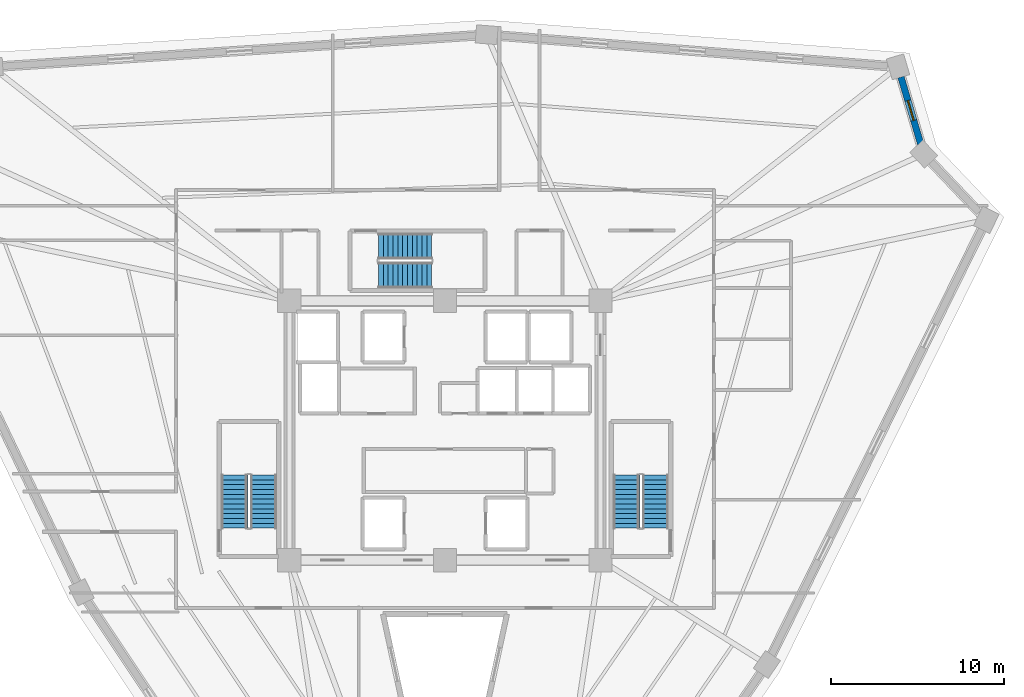
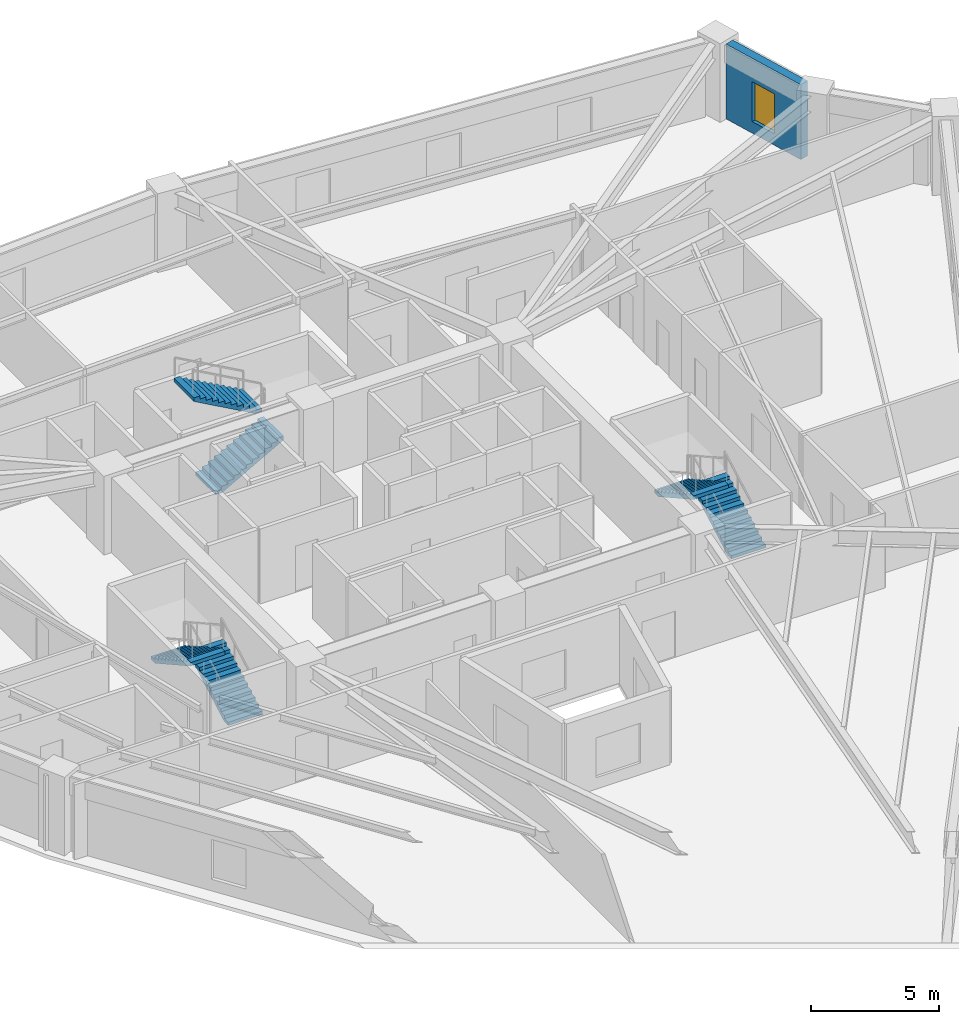
# One storey, part 7 of 8: 6 stair flights, 1 wall, 1 window, 1 opening, 3 elements without a shape of their own.
"""IFC4 building model written with IfcOpenShell, lengths in metres."""

from ifc_helpers import new_model, si_unit, direction, frame, frame_2d, origin, place, context, subcontext, project, spatial, polyline, rectangle, outline, extrude, source, transform, mapped, material, layer, layer_set, type_object, element, fill, aggregate, save


model = new_model("IFC4")

# Units and contexts
model_context = context("Model", 3, precision=1e-05, world=origin(), true_north=direction((0.0, 1.0)))
body_context = subcontext(model_context, "Body", "Model", "MODEL_VIEW")
ifc_project = project(units=[si_unit("LENGTHUNIT", "METRE"), si_unit("AREAUNIT", "SQUARE_METRE"), si_unit("VOLUMEUNIT", "CUBIC_METRE"), si_unit("PLANEANGLEUNIT", "RADIAN"), si_unit("MASSUNIT", "GRAM", prefix="KILO")], contexts=[model_context])

# Site, building, storey
site_placement = place(None, origin())
site = spatial("IfcSite", under=ifc_project, at=site_placement, CompositionType="ELEMENT")
building_placement = place(site_placement, origin())
building = spatial("IfcBuilding", under=site, at=building_placement, Name="Liaohun Quay Tower", CompositionType="ELEMENT")
storey_placement = place(building_placement, frame((0.0, 0.0, 270.0)))
storey = spatial("IfcBuildingStorey", under=building, at=storey_placement, Name="L70", CompositionType="ELEMENT", Elevation=270.0)

# Wall, opening, window
ifc_material_1 = material(Name="Precast concrete C50 insulated sandwich", Category="concrete")
ifc_layer = layer(ifc_material_1, 0.3798828125, Name="Precast concrete C50 insulated sandwich", Category="concrete")
ifc_layer_set = layer_set([ifc_layer], Name="Precast concrete C50 insulated sandwich")
wall_type = type_object("IfcWallType", Name="WAL-EXT-Z34", PredefinedType="SOLIDWALL", material=ifc_layer_set)
wall_placement = place(storey_placement, frame((87.52392578125, 70.58203125, 0.0), z_axis=(0.0, 0.0, 1.0), x_axis=(-0.282684192533, 0.959213035405, 0.0)))
wall = element("IfcWall", 1, at=wall_placement, inside=storey, type_object=wall_type, Name="L70 Brutalist Precast Pier Wall 05", PredefinedType="SOLIDWALL", context=body_context, shape_type="SweptSolid", body=[
    extrude(rectangle(XDim=4.032470703125, YDim=0.3798828125, at=frame_2d((2.01611328125, 0.0))), origin(), (0.0, 0.0, 1.0), 3.570068359375),
])
shared_shape_1 = source(origin(), body_context, "Body", "SweptSolid", [
    extrude(rectangle(XDim=1.199951171875, YDim=1.89990234375, at=frame_2d((0.60009765625, 0.949951171875))), frame((0.0, 0.199951171875, 0.0), z_axis=(0.0, -1.0, 0.0), x_axis=(1.0, 0.0, 0.0)), (0.0, 0.0, 1.0), 0.39990234375),
])
opening_placement = place(wall_placement, frame((1.416015625, 0.0, 0.550048828125)))
opening = element("IfcOpeningElement", 2, at=opening_placement, cuts=wall, Name="Opening W05", PredefinedType="OPENING", context=body_context, shape_type="MappedRepresentation", body=[
    mapped(shared_shape_1, transform((0.0, 0.0, 0.0), x_axis=(1.0, 0.0, 0.0), y_axis=(0.0, 1.0, 0.0), z_axis=(0.0, 0.0, 1.0), scale=1.0)),
])
ifc_material_2 = material(Name="Triple Low-E corner notch glazing", Category="glass")
window_type = type_object("IfcWindowType", Name="WIN-NOTCH", PartitioningType="SINGLE_PANEL", PredefinedType="WINDOW", material=ifc_material_2)
shared_shape_2 = source(origin(), body_context, "Body", "SweptSolid", [
    extrude(rectangle(XDim=1.199951171875, YDim=1.89990234375, at=frame_2d((0.60009765625, 0.949951171875))), frame((0.0, 0.030029296875, 0.0), z_axis=(0.0, -1.0, 0.0), x_axis=(1.0, 0.0, 0.0)), (0.0, 0.0, 1.0), 0.06005859375),
])
window_placement = place(opening_placement, origin())
window = element("IfcWindow", 3, at=window_placement, inside=storey, type_object=window_type, Name="L70 Corner Notch Window W05-05", OverallHeight=1.89990234375, OverallWidth=1.199951171875, PartitioningType="SINGLE_PANEL", PredefinedType="WINDOW", context=body_context, shape_type="MappedRepresentation", body=[
    mapped(shared_shape_2, transform((0.0, 0.0, 0.0), x_axis=(1.0, 0.0, 0.0), y_axis=(0.0, 1.0, 0.0), z_axis=(0.0, 0.0, 1.0), scale=1.0)),
])
fill(opening, window)

# Stair, stair flights
ifc_material_3 = material(Name="Concrete C45", Category="concrete")
stair_type = type_object("IfcStairType", Name="STR-CORE-OFF", PredefinedType="HALF_TURN_STAIR", material=ifc_material_3)
stair_1_placement = place(storey_placement, origin())
stair_1 = element("IfcStair", 4, at=stair_1_placement, inside=storey, type_object=stair_type, Name="L70 Smokeproof Core Exit Stair ST-1", PredefinedType="HALF_TURN_STAIR")
stair_flight_type = type_object("IfcStairFlightType", Name="FLT-CORE-155", PredefinedType="STRAIGHT", material=ifc_material_3)
stair_flight_1_placement = place(storey_placement, frame((49.5048828125, 48.35009765625, 0.0), z_axis=(0.0, 0.0, 1.0), x_axis=(0.0, 1.0, 0.0)))
stair_flight_1 = element("IfcStairFlight", 5, at=stair_flight_1_placement, type_object=stair_flight_type, Name="ST-1 flight 1", NumberOfRisers=12, NumberOfTreads=11, PredefinedType="STRAIGHT", RiserHeight=0.15625, TreadLength=0.28, context=body_context, shape_type="SweptSolid", body=[
    extrude(outline(polyline([(0.0, 0.0), (0.0, 0.15625), (0.280029296875, 0.15625), (0.280029296875, 0.3125), (0.56005859375, 0.3125), (0.56005859375, 0.46875), (0.840087890625, 0.46875), (0.840087890625, 0.625), (1.1201171875, 0.625), (1.1201171875, 0.78125), (1.39990234375, 0.78125), (1.39990234375, 0.9375), (1.679931640625, 0.9375), (1.679931640625, 1.09375), (1.9599609375, 1.09375), (1.9599609375, 1.25), (2.239990234375, 1.25), (2.239990234375, 1.40625), (2.52001953125, 1.40625), (2.52001953125, 1.5625), (2.800048828125, 1.5625), (2.800048828125, 1.71875), (3.080078125, 1.71875), (3.080078125, 1.875), (3.080078125, 1.547119140625), (0.3076171875, 0.0), (0.0, 0.0)])), frame((0.0, 0.77490234375, 0.0), z_axis=(0.0, -1.0, 0.0), x_axis=(1.0, 0.0, 0.0)), (0.0, 0.0, 1.0), 1.550048828125),
])
stair_flight_2_placement = place(storey_placement, frame((47.81494140625, 51.429931640625, 1.875), z_axis=(0.0, 0.0, 1.0), x_axis=(0.0, -1.0, 0.0)))
stair_flight_2 = element("IfcStairFlight", 6, at=stair_flight_2_placement, type_object=stair_flight_type, Name="ST-1 flight 2", NumberOfRisers=12, NumberOfTreads=11, PredefinedType="STRAIGHT", RiserHeight=0.15625, TreadLength=0.28, context=body_context, shape_type="SweptSolid", body=[
    extrude(outline(polyline([(0.0, 0.0), (0.0, 0.15625), (0.280029296875, 0.15625), (0.280029296875, 0.3125), (0.56005859375, 0.3125), (0.56005859375, 0.46875), (0.840087890625, 0.46875), (0.840087890625, 0.625), (1.1201171875, 0.625), (1.1201171875, 0.78125), (1.39990234375, 0.78125), (1.39990234375, 0.9375), (1.679931640625, 0.9375), (1.679931640625, 1.09375), (1.9599609375, 1.09375), (1.9599609375, 1.25), (2.239990234375, 1.25), (2.239990234375, 1.40625), (2.52001953125, 1.40625), (2.52001953125, 1.5625), (2.800048828125, 1.5625), (2.800048828125, 1.71875), (3.080078125, 1.71875), (3.080078125, 1.875), (3.080078125, 1.547119140625), (0.3076171875, 0.0), (0.0, 0.0)])), frame((0.0, 0.77490234375, 0.0), z_axis=(0.0, -1.0, 0.0), x_axis=(1.0, 0.0, 0.0)), (0.0, 0.0, 1.0), 1.550048828125),
])
aggregate(stair_1, [stair_flight_1, stair_flight_2])

stair_2_placement = place(storey_placement, origin())
stair_2 = element("IfcStair", 7, at=stair_2_placement, inside=storey, type_object=stair_type, Name="L70 Smokeproof Core Exit Stair ST-2", PredefinedType="HALF_TURN_STAIR")
stair_flight_3_placement = place(storey_placement, frame((72.18505859375, 48.35009765625, 0.0), z_axis=(0.0, 0.0, 1.0), x_axis=(0.0, 1.0, 0.0)))
stair_flight_3 = element("IfcStairFlight", 8, at=stair_flight_3_placement, type_object=stair_flight_type, Name="ST-2 flight 1", NumberOfRisers=12, NumberOfTreads=11, PredefinedType="STRAIGHT", RiserHeight=0.15625, TreadLength=0.28, context=body_context, shape_type="SweptSolid", body=[
    extrude(outline(polyline([(0.0, 0.0), (0.0, 0.15625), (0.280029296875, 0.15625), (0.280029296875, 0.3125), (0.56005859375, 0.3125), (0.56005859375, 0.46875), (0.840087890625, 0.46875), (0.840087890625, 0.625), (1.1201171875, 0.625), (1.1201171875, 0.78125), (1.39990234375, 0.78125), (1.39990234375, 0.9375), (1.679931640625, 0.9375), (1.679931640625, 1.09375), (1.9599609375, 1.09375), (1.9599609375, 1.25), (2.239990234375, 1.25), (2.239990234375, 1.40625), (2.52001953125, 1.40625), (2.52001953125, 1.5625), (2.800048828125, 1.5625), (2.800048828125, 1.71875), (3.080078125, 1.71875), (3.080078125, 1.875), (3.080078125, 1.547119140625), (0.3076171875, 0.0), (0.0, 0.0)])), frame((0.0, 0.77490234375, 0.0), z_axis=(0.0, -1.0, 0.0), x_axis=(1.0, 0.0, 0.0)), (0.0, 0.0, 1.0), 1.550048828125),
])
stair_flight_4_placement = place(storey_placement, frame((70.4951171875, 51.429931640625, 1.875), z_axis=(0.0, 0.0, 1.0), x_axis=(0.0, -1.0, 0.0)))
stair_flight_4 = element("IfcStairFlight", 9, at=stair_flight_4_placement, type_object=stair_flight_type, Name="ST-2 flight 2", NumberOfRisers=12, NumberOfTreads=11, PredefinedType="STRAIGHT", RiserHeight=0.15625, TreadLength=0.28, context=body_context, shape_type="SweptSolid", body=[
    extrude(outline(polyline([(0.0, 0.0), (0.0, 0.15625), (0.280029296875, 0.15625), (0.280029296875, 0.3125), (0.56005859375, 0.3125), (0.56005859375, 0.46875), (0.840087890625, 0.46875), (0.840087890625, 0.625), (1.1201171875, 0.625), (1.1201171875, 0.78125), (1.39990234375, 0.78125), (1.39990234375, 0.9375), (1.679931640625, 0.9375), (1.679931640625, 1.09375), (1.9599609375, 1.09375), (1.9599609375, 1.25), (2.239990234375, 1.25), (2.239990234375, 1.40625), (2.52001953125, 1.40625), (2.52001953125, 1.5625), (2.800048828125, 1.5625), (2.800048828125, 1.71875), (3.080078125, 1.71875), (3.080078125, 1.875), (3.080078125, 1.547119140625), (0.3076171875, 0.0), (0.0, 0.0)])), frame((0.0, 0.77490234375, 0.0), z_axis=(0.0, -1.0, 0.0), x_axis=(1.0, 0.0, 0.0)), (0.0, 0.0, 1.0), 1.550048828125),
])
aggregate(stair_2, [stair_flight_3, stair_flight_4])

stair_3_placement = place(storey_placement, origin())
stair_3 = element("IfcStair", 10, at=stair_3_placement, inside=storey, type_object=stair_type, Name="L70 Smokeproof Core Exit Stair ST-3", PredefinedType="HALF_TURN_STAIR")
stair_flight_5_placement = place(storey_placement, frame((56.14990234375, 62.97509765625, 0.0), z_axis=(0.0, 0.0, 1.0), x_axis=(1.0, 0.0, 0.0)))
stair_flight_5 = element("IfcStairFlight", 11, at=stair_flight_5_placement, type_object=stair_flight_type, Name="ST-3 flight 1", NumberOfRisers=12, NumberOfTreads=11, PredefinedType="STRAIGHT", RiserHeight=0.15625, TreadLength=0.28, context=body_context, shape_type="SweptSolid", body=[
    extrude(outline(polyline([(0.0, 0.0), (0.0, 0.15625), (0.280029296875, 0.15625), (0.280029296875, 0.3125), (0.56005859375, 0.3125), (0.56005859375, 0.46875), (0.840087890625, 0.46875), (0.840087890625, 0.625), (1.1201171875, 0.625), (1.1201171875, 0.78125), (1.39990234375, 0.78125), (1.39990234375, 0.9375), (1.679931640625, 0.9375), (1.679931640625, 1.09375), (1.9599609375, 1.09375), (1.9599609375, 1.25), (2.239990234375, 1.25), (2.239990234375, 1.40625), (2.52001953125, 1.40625), (2.52001953125, 1.5625), (2.800048828125, 1.5625), (2.800048828125, 1.71875), (3.080078125, 1.71875), (3.080078125, 1.875), (3.080078125, 1.547119140625), (0.3076171875, 0.0), (0.0, 0.0)])), frame((0.0, 0.77490234375, 0.0), z_axis=(0.0, -1.0, 0.0), x_axis=(1.0, 0.0, 0.0)), (0.0, 0.0, 1.0), 1.550048828125),
])
stair_flight_6_placement = place(storey_placement, frame((59.22998046875, 64.6650390625, 1.875), z_axis=(0.0, 0.0, 1.0), x_axis=(-1.0, 0.0, 0.0)))
stair_flight_6 = element("IfcStairFlight", 12, at=stair_flight_6_placement, type_object=stair_flight_type, Name="ST-3 flight 2", NumberOfRisers=12, NumberOfTreads=11, PredefinedType="STRAIGHT", RiserHeight=0.15625, TreadLength=0.28, context=body_context, shape_type="SweptSolid", body=[
    extrude(outline(polyline([(0.0, 0.0), (0.0, 0.15625), (0.280029296875, 0.15625), (0.280029296875, 0.3125), (0.56005859375, 0.3125), (0.56005859375, 0.46875), (0.840087890625, 0.46875), (0.840087890625, 0.625), (1.1201171875, 0.625), (1.1201171875, 0.78125), (1.39990234375, 0.78125), (1.39990234375, 0.9375), (1.679931640625, 0.9375), (1.679931640625, 1.09375), (1.9599609375, 1.09375), (1.9599609375, 1.25), (2.239990234375, 1.25), (2.239990234375, 1.40625), (2.52001953125, 1.40625), (2.52001953125, 1.5625), (2.800048828125, 1.5625), (2.800048828125, 1.71875), (3.080078125, 1.71875), (3.080078125, 1.875), (3.080078125, 1.547119140625), (0.3076171875, 0.0), (0.0, 0.0)])), frame((0.0, 0.77490234375, 0.0), z_axis=(0.0, -1.0, 0.0), x_axis=(1.0, 0.0, 0.0)), (0.0, 0.0, 1.0), 1.550048828125),
])
aggregate(stair_3, [stair_flight_5, stair_flight_6])

save(model, "model.ifc")
